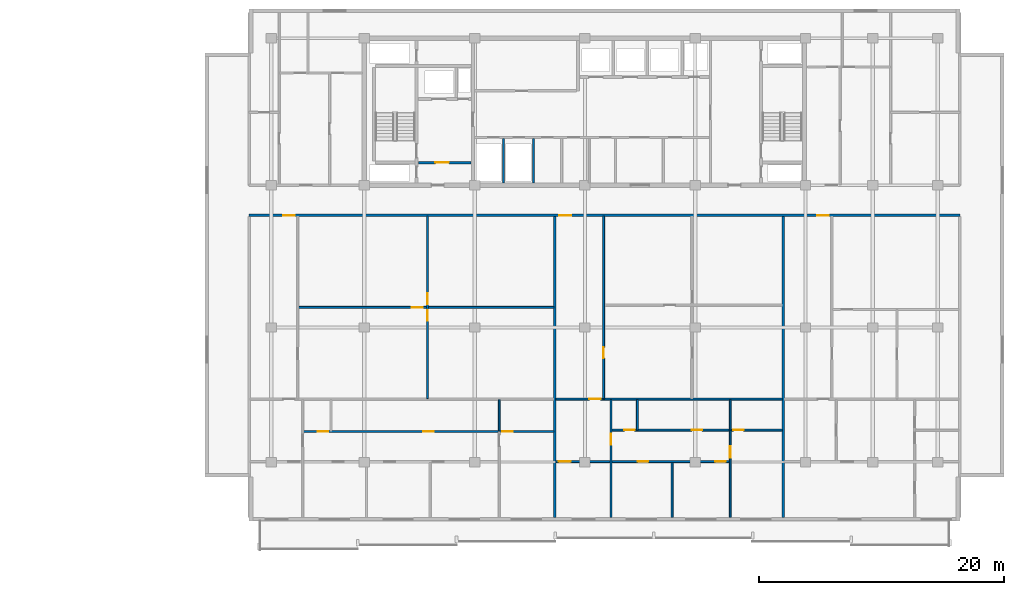
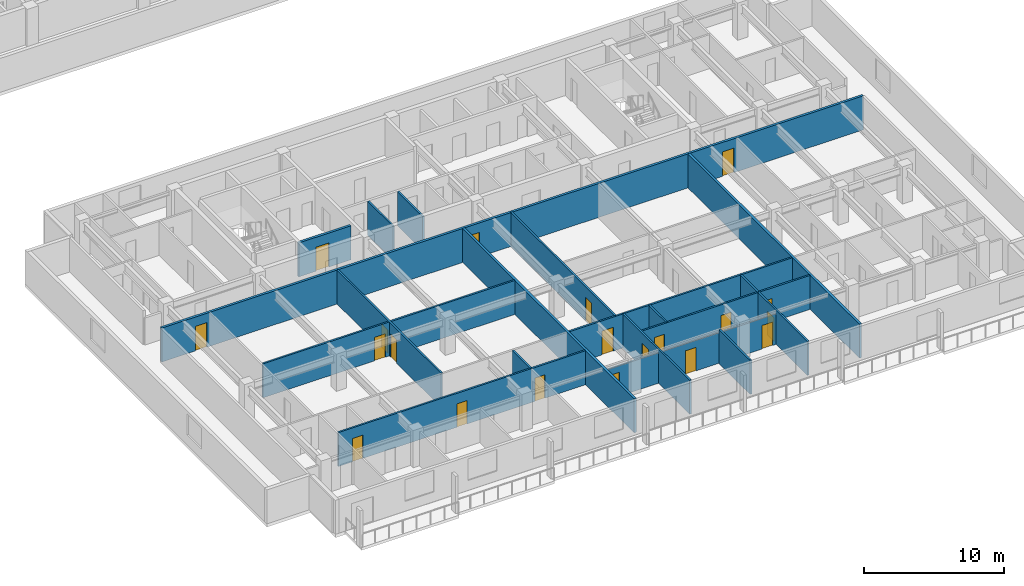
# One storey, part 5 of 22: 20 doors, 19 walls, 20 openings.
"""IFC4 building model written with IfcOpenShell, lengths in metres."""

from ifc_helpers import new_model, si_unit, direction, frame, frame_2d, origin, place, context, subcontext, project, spatial, rectangle, extrude, material, layer, layer_set, type_object, element, fill, save


model = new_model("IFC4")

# Units and contexts
model_context = context("Model", 3, precision=1e-05, world=origin(), true_north=direction((0.0, 1.0)))
body_context = subcontext(model_context, "Body", "Model", "MODEL_VIEW")
ifc_project = project(units=[si_unit("LENGTHUNIT", "METRE"), si_unit("AREAUNIT", "SQUARE_METRE"), si_unit("VOLUMEUNIT", "CUBIC_METRE"), si_unit("PLANEANGLEUNIT", "RADIAN"), si_unit("MASSUNIT", "GRAM", prefix="KILO")], contexts=[model_context])

# Site, building, storey
site_placement = place(None, origin())
site = spatial("IfcSite", under=ifc_project, at=site_placement, CompositionType="ELEMENT")
building_placement = place(site_placement, origin())
building = spatial("IfcBuilding", under=site, at=building_placement, Name="Korimba Cascade Residences", CompositionType="ELEMENT")
storey_placement = place(building_placement, frame((0.0, 0.0, 126.300048828125)))
storey = spatial("IfcBuildingStorey", under=building, at=storey_placement, Name="L36", CompositionType="ELEMENT", Elevation=126.300048828125)

# Walls
ifc_material_1 = material(Name="Precast concrete C40/50", Category="concrete")
ifc_layer_1 = layer(ifc_material_1, 0.199951171875)
ifc_layer_set_1 = layer_set([ifc_layer_1], Name="Precast concrete C40/50")
wall_type_1 = type_object("IfcWallType", Name="WAL-IT-200", PredefinedType="PARTITIONING", material=ifc_layer_set_1)
for number, where, z_axis, x_axis, name in (
    (1, (97.654541015625, -8.699951171875, 0.0), (0.0, 0.0, 1.0), (0.0, 1.0, 0.0), "L36 Partition Wall WAL-L36-T2-DEM-1"),
    (2, (116.286376953125, -8.699951171875, 0.0), (0.0, 0.0, 1.0), (0.0, 1.0, 0.0), "L36 Partition Wall WAL-L36-T2-DEM-2"),
):
    element("IfcWall", number, at=place(storey_placement, frame(where, z_axis=z_axis, x_axis=x_axis)), inside=storey, type_object=wall_type_1, Name=name, PredefinedType="PARTITIONING", context=body_context, shape_type="SweptSolid", body=[
        extrude(rectangle(XDim=24.570068359375, YDim=0.199951171875, at=frame_2d((12.28515625, 0.0))), origin(), (0.0, 0.0, 1.0), 2.969970703125),
    ])

# Wall, openings, doors
wall_1_placement = place(storey_placement, frame((72.699951171875, 15.949951171875, 0.0), z_axis=(0.0, 0.0, 1.0), x_axis=(1.0, 0.0, 0.0)))
wall_1 = element("IfcWall", 3, at=wall_1_placement, inside=storey, type_object=wall_type_1, Name="L36 Partition Wall WAL-L36-T2-CORS", PredefinedType="PARTITIONING", context=body_context, shape_type="SweptSolid", body=[
    extrude(rectangle(XDim=58.0, YDim=0.199951171875, at=frame_2d((29.0, 0.0))), origin(), (0.0, 0.0, 1.0), 2.969970703125),
])
opening_1_placement = place(wall_1_placement, frame((2.77001953125, 0.0, 0.0)))
opening_1 = element("IfcOpeningElement", 4, at=opening_1_placement, cuts=wall_1, Name="Opening D-UN1", PredefinedType="OPENING", context=body_context, shape_type="SweptSolid", body=[
    extrude(rectangle(XDim=0.949951171875, YDim=2.14990234375, at=frame_2d((0.47509765625, 1.074951171875))), frame((0.0, 0.10986328125, 0.0), z_axis=(0.0, -1.0, 0.0), x_axis=(1.0, 0.0, 0.0)), (0.0, 0.0, 1.0), 0.219970703125),
])
opening_2_placement = place(wall_1_placement, frame((25.324462890625, 0.0, 0.0)))
opening_2 = element("IfcOpeningElement", 5, at=opening_2_placement, cuts=wall_1, Name="Opening D-UN1", PredefinedType="OPENING", context=body_context, shape_type="SweptSolid", body=[
    extrude(rectangle(XDim=0.949951171875, YDim=2.14990234375, at=frame_2d((0.47509765625, 1.074951171875))), frame((0.0, 0.10986328125, 0.0), z_axis=(0.0, -1.0, 0.0), x_axis=(1.0, 0.0, 0.0)), (0.0, 0.0, 1.0), 0.219970703125),
])
opening_3_placement = place(wall_1_placement, frame((46.356201171875, 0.0, 0.0)))
opening_3 = element("IfcOpeningElement", 6, at=opening_3_placement, cuts=wall_1, Name="Opening D-UN1", PredefinedType="OPENING", context=body_context, shape_type="SweptSolid", body=[
    extrude(rectangle(XDim=0.949951171875, YDim=2.14990234375, at=frame_2d((0.47509765625, 1.074951171875))), frame((0.0, 0.10986328125, 0.0), z_axis=(0.0, -1.0, 0.0), x_axis=(1.0, 0.0, 0.0)), (0.0, 0.0, 1.0), 0.219970703125),
])
ifc_material_2 = material(Name="Fire-Rated Hardwood Apartment Entrance Door", Category="wood")
door_type_1 = type_object("IfcDoorType", Name="DR-FD60-950", OperationType="NOTDEFINED", PredefinedType="DOOR", material=ifc_material_2)
door_1_placement = place(opening_1_placement, origin())
door_1 = element("IfcDoor", 7, at=door_1_placement, inside=storey, type_object=door_type_1, Name="Unit L36-T2-U01 Entrance Door", OperationType="SINGLE_SWING_LEFT", OverallHeight=2.14990234375, OverallWidth=0.949951171875, PredefinedType="DOOR", context=body_context, shape_type="SweptSolid", body=[
    extrude(rectangle(XDim=0.949951171875, YDim=2.14990234375, at=frame_2d((0.47509765625, 1.074951171875))), frame((0.0, 0.02490234375, 0.0), z_axis=(0.0, -1.0, 0.0), x_axis=(1.0, 0.0, 0.0)), (0.0, 0.0, 1.0), 0.050048828125),
])
fill(opening_1, door_1)
door_2_placement = place(opening_2_placement, origin())
door_2 = element("IfcDoor", 8, at=door_2_placement, inside=storey, type_object=door_type_1, Name="Unit L36-T2-U02 Entrance Door", OperationType="SINGLE_SWING_RIGHT", OverallHeight=2.14990234375, OverallWidth=0.949951171875, PredefinedType="DOOR", context=body_context, shape_type="SweptSolid", body=[
    extrude(rectangle(XDim=0.949951171875, YDim=2.14990234375, at=frame_2d((0.47509765625, 1.074951171875))), frame((0.0, 0.02490234375, 0.0), z_axis=(0.0, -1.0, 0.0), x_axis=(1.0, 0.0, 0.0)), (0.0, 0.0, 1.0), 0.050048828125),
])
fill(opening_2, door_2)
door_3_placement = place(opening_3_placement, origin())
door_3 = element("IfcDoor", 9, at=door_3_placement, inside=storey, type_object=door_type_1, Name="Unit L36-T2-U03 Entrance Door", OperationType="SINGLE_SWING_LEFT", OverallHeight=2.14990234375, OverallWidth=0.949951171875, PredefinedType="DOOR", context=body_context, shape_type="SweptSolid", body=[
    extrude(rectangle(XDim=0.949951171875, YDim=2.14990234375, at=frame_2d((0.47509765625, 1.074951171875))), frame((0.0, 0.02490234375, 0.0), z_axis=(0.0, -1.0, 0.0), x_axis=(1.0, 0.0, 0.0)), (0.0, 0.0, 1.0), 0.050048828125),
])
fill(opening_3, door_3)

# Walls
ifc_material_3 = material(Name="Insulated Acoustic Stud Partition", Category="gypsum")
ifc_layer_2 = layer(ifc_material_3, 0.14990234375)
ifc_layer_set_2 = layer_set([ifc_layer_2], Name="Insulated Acoustic Stud Partition")
wall_type_2 = type_object("IfcWallType", Name="WAL-PART-150", PredefinedType="PARTITIONING", material=ifc_layer_set_2)
for number, where, z_axis, x_axis, name in (
    (10, (93.449951171875, 18.60009765625, 0.0), (0.0, 0.0, 1.0), (0.0, 1.0, 0.0), "L36 Partition Wall CW-L36-T2-ERDIV"),
    (11, (95.89990234375, 18.60009765625, 0.0), (0.0, 0.0, 1.0), (0.0, 1.0, 0.0), "L36 Partition Wall CW-L36-T2-PRDIV"),
):
    element("IfcWall", number, at=place(storey_placement, frame(where, z_axis=z_axis, x_axis=x_axis)), inside=storey, type_object=wall_type_2, Name=name, PredefinedType="PARTITIONING", context=body_context, shape_type="SweptSolid", body=[
        extrude(rectangle(XDim=3.599853515625, YDim=0.14990234375, at=frame_2d((1.7998046875, 0.0))), origin(), (0.0, 0.0, 1.0), 2.969970703125),
    ])

# Wall, openings, doors
wall_2_placement = place(storey_placement, frame((87.252197265625, 0.989990234375, 0.0), z_axis=(0.0, 0.0, 1.0), x_axis=(0.0, 1.0, 0.0)))
wall_2 = element("IfcWall", 12, at=wall_2_placement, inside=storey, type_object=wall_type_2, Name="L36 Partition Wall WAL-L36-T2-U01-FMV", PredefinedType="PARTITIONING", context=body_context, shape_type="SweptSolid", body=[
    extrude(rectangle(XDim=14.89990234375, YDim=0.14990234375, at=frame_2d((7.449951171875, 0.0))), origin(), (0.0, 0.0, 1.0), 2.969970703125),
])
opening_4_placement = place(wall_2_placement, frame((6.360107421875, 0.0, 0.0)))
opening_4 = element("IfcOpeningElement", 13, at=opening_4_placement, cuts=wall_2, Name="Opening D-BT1", PredefinedType="OPENING", context=body_context, shape_type="SweptSolid", body=[
    extrude(rectangle(XDim=0.840087890625, YDim=2.0400390625, at=frame_2d((0.419921875, 1.02001953125))), frame((0.0, 0.0849609375, 0.0), z_axis=(0.0, -1.0, 0.0), x_axis=(1.0, 0.0, 0.0)), (0.0, 0.0, 1.0), 0.169921875),
])
opening_5_placement = place(wall_2_placement, frame((7.699951171875, 0.0, 0.0)))
opening_5 = element("IfcOpeningElement", 14, at=opening_5_placement, cuts=wall_2, Name="Opening D-IN2", PredefinedType="OPENING", context=body_context, shape_type="SweptSolid", body=[
    extrude(rectangle(XDim=0.8798828125, YDim=2.06005859375, at=frame_2d((0.43994140625, 1.030029296875))), frame((0.0, 0.0849609375, 0.0), z_axis=(0.0, -1.0, 0.0), x_axis=(1.0, 0.0, 0.0)), (0.0, 0.0, 1.0), 0.169921875),
])
ifc_material_4 = material(Name="Moisture-Resistant Bathroom Timber Door", Category="wood")
door_type_2 = type_object("IfcDoorType", Name="DR-INT-850", OperationType="NOTDEFINED", PredefinedType="DOOR", material=ifc_material_4)
door_4_placement = place(opening_4_placement, origin())
door_4 = element("IfcDoor", 15, at=door_4_placement, inside=storey, type_object=door_type_2, Name="L36-T2-U01 Wardrobe Door", OperationType="SINGLE_SWING_LEFT", OverallHeight=2.0400390625, OverallWidth=0.840087890625, PredefinedType="DOOR", context=body_context, shape_type="SweptSolid", body=[
    extrude(rectangle(XDim=0.840087890625, YDim=2.0400390625, at=frame_2d((0.419921875, 1.02001953125))), frame((0.0, 0.02490234375, 0.0), z_axis=(0.0, -1.0, 0.0), x_axis=(1.0, 0.0, 0.0)), (0.0, 0.0, 1.0), 0.050048828125),
])
fill(opening_4, door_4)
ifc_material_5 = material(Name="Acoustic Timber Bedroom Door", Category="wood")
door_type_3 = type_object("IfcDoorType", Name="DR-INT-880", OperationType="NOTDEFINED", PredefinedType="DOOR", material=ifc_material_5)
door_5_placement = place(opening_5_placement, origin())
door_5 = element("IfcDoor", 16, at=door_5_placement, inside=storey, type_object=door_type_3, Name="L36-T2-U01 Music Lounge Door", OperationType="SINGLE_SWING_RIGHT", OverallHeight=2.06005859375, OverallWidth=0.8798828125, PredefinedType="DOOR", context=body_context, shape_type="SweptSolid", body=[
    extrude(rectangle(XDim=0.8798828125, YDim=2.06005859375, at=frame_2d((0.43994140625, 1.030029296875))), frame((0.0, 0.02490234375, 0.0), z_axis=(0.0, -1.0, 0.0), x_axis=(1.0, 0.0, 0.0)), (0.0, 0.0, 1.0), 0.050048828125),
])
fill(opening_5, door_5)

# Wall, opening, door
wall_3_placement = place(storey_placement, frame((76.72998046875, 8.43994140625, 0.0), z_axis=(0.0, 0.0, 1.0), x_axis=(1.0, 0.0, 0.0)))
wall_3 = element("IfcWall", 17, at=wall_3_placement, inside=storey, type_object=wall_type_2, Name="L36 Partition Wall WAL-L36-T2-U01-FMH", PredefinedType="PARTITIONING", context=body_context, shape_type="SweptSolid", body=[
    extrude(rectangle(XDim=20.844482421875, YDim=0.14990234375, at=frame_2d((10.42236328125, 0.0))), origin(), (0.0, 0.0, 1.0), 2.969970703125),
])
opening_6_placement = place(wall_3_placement, frame((9.24072265625, 0.0, 0.0)))
opening_6 = element("IfcOpeningElement", 18, at=opening_6_placement, cuts=wall_3, Name="Opening D-IN2", PredefinedType="OPENING", context=body_context, shape_type="SweptSolid", body=[
    extrude(rectangle(XDim=0.8798828125, YDim=2.06005859375, at=frame_2d((0.43994140625, 1.030029296875))), frame((0.0, 0.0849609375, 0.0), z_axis=(0.0, -1.0, 0.0), x_axis=(1.0, 0.0, 0.0)), (0.0, 0.0, 1.0), 0.169921875),
])
door_6_placement = place(opening_6_placement, origin())
door_6 = element("IfcDoor", 19, at=door_6_placement, inside=storey, type_object=door_type_3, Name="L36-T2-U01 Library Salon Door", OperationType="SINGLE_SWING_LEFT", OverallHeight=2.06005859375, OverallWidth=0.8798828125, PredefinedType="DOOR", context=body_context, shape_type="SweptSolid", body=[
    extrude(rectangle(XDim=0.8798828125, YDim=2.06005859375, at=frame_2d((0.43994140625, 1.030029296875))), frame((0.0, 0.02490234375, 0.0), z_axis=(0.0, -1.0, 0.0), x_axis=(1.0, 0.0, 0.0)), (0.0, 0.0, 1.0), 0.050048828125),
])
fill(opening_6, door_6)

# Wall
wall_4_placement = place(storey_placement, frame((93.1044921875, -1.669921875, 0.0), z_axis=(0.0, 0.0, 1.0), x_axis=(0.0, 1.0, 0.0)))
element("IfcWall", 20, at=wall_4_placement, inside=storey, type_object=wall_type_2, Name="L36 Partition Wall WAL-L36-T2-U01-VBATH", PredefinedType="PARTITIONING", context=body_context, shape_type="SweptSolid", body=[
    extrude(rectangle(XDim=2.579833984375, YDim=0.14990234375, at=frame_2d((1.2900390625, 0.0))), origin(), (0.0, 0.0, 1.0), 2.969970703125),
])

# Wall, openings, doors
wall_5_placement = place(storey_placement, frame((77.110107421875, -1.68994140625, 0.0), z_axis=(0.0, 0.0, 1.0), x_axis=(1.0, 0.0, 0.0)))
wall_5 = element("IfcWall", 21, at=wall_5_placement, inside=storey, type_object=wall_type_2, Name="L36 Partition Wall WAL-L36-T2-U01-HWALL", PredefinedType="PARTITIONING", context=body_context, shape_type="SweptSolid", body=[
    extrude(rectangle(XDim=20.46435546875, YDim=0.14990234375, at=frame_2d((10.232177734375, 0.0))), origin(), (0.0, 0.0, 1.0), 2.969970703125),
])
opening_7_placement = place(wall_5_placement, frame((1.19091796875, 0.0, 0.0)))
opening_7 = element("IfcOpeningElement", 22, at=opening_7_placement, cuts=wall_5, Name="Opening D-BT1", PredefinedType="OPENING", context=body_context, shape_type="SweptSolid", body=[
    extrude(rectangle(XDim=0.840087890625, YDim=2.0400390625, at=frame_2d((0.419921875, 1.02001953125))), frame((0.0, 0.0849609375, 0.0), z_axis=(0.0, -1.0, 0.0), x_axis=(1.0, 0.0, 0.0)), (0.0, 0.0, 1.0), 0.169921875),
])
opening_8_placement = place(wall_5_placement, frame((9.812255859375, 0.0, 0.0)))
opening_8 = element("IfcOpeningElement", 23, at=opening_8_placement, cuts=wall_5, Name="Opening D-BT1", PredefinedType="OPENING", context=body_context, shape_type="SweptSolid", body=[
    extrude(rectangle(XDim=0.840087890625, YDim=2.0400390625, at=frame_2d((0.419921875, 1.02001953125))), frame((0.0, 0.0849609375, 0.0), z_axis=(0.0, -1.0, 0.0), x_axis=(1.0, 0.0, 0.0)), (0.0, 0.0, 1.0), 0.169921875),
])
opening_9_placement = place(wall_5_placement, frame((16.244384765625, 0.0, 0.0)))
opening_9 = element("IfcOpeningElement", 24, at=opening_9_placement, cuts=wall_5, Name="Opening D-BT1", PredefinedType="OPENING", context=body_context, shape_type="SweptSolid", body=[
    extrude(rectangle(XDim=0.840087890625, YDim=2.0400390625, at=frame_2d((0.419921875, 1.02001953125))), frame((0.0, 0.0849609375, 0.0), z_axis=(0.0, -1.0, 0.0), x_axis=(1.0, 0.0, 0.0)), (0.0, 0.0, 1.0), 0.169921875),
])
door_7_placement = place(opening_7_placement, origin())
door_7 = element("IfcDoor", 25, at=door_7_placement, inside=storey, type_object=door_type_2, Name="L36-T2-U01 Family Bathroom Door", OperationType="SINGLE_SWING_LEFT", OverallHeight=2.0400390625, OverallWidth=0.840087890625, PredefinedType="DOOR", context=body_context, shape_type="SweptSolid", body=[
    extrude(rectangle(XDim=0.840087890625, YDim=2.0400390625, at=frame_2d((0.419921875, 1.02001953125))), frame((0.0, 0.02490234375, 0.0), z_axis=(0.0, -1.0, 0.0), x_axis=(1.0, 0.0, 0.0)), (0.0, 0.0, 1.0), 0.050048828125),
])
fill(opening_7, door_7)
door_8_placement = place(opening_8_placement, origin())
door_8 = element("IfcDoor", 26, at=door_8_placement, inside=storey, type_object=door_type_2, Name="L36-T2-U01 Dressing Room Door", OperationType="SINGLE_SWING_RIGHT", OverallHeight=2.0400390625, OverallWidth=0.840087890625, PredefinedType="DOOR", context=body_context, shape_type="SweptSolid", body=[
    extrude(rectangle(XDim=0.840087890625, YDim=2.0400390625, at=frame_2d((0.419921875, 1.02001953125))), frame((0.0, 0.02490234375, 0.0), z_axis=(0.0, -1.0, 0.0), x_axis=(1.0, 0.0, 0.0)), (0.0, 0.0, 1.0), 0.050048828125),
])
fill(opening_8, door_8)
door_9_placement = place(opening_9_placement, origin())
door_9 = element("IfcDoor", 27, at=door_9_placement, inside=storey, type_object=door_type_2, Name="L36-T2-U01 En-Suite Door", OperationType="SINGLE_SWING_LEFT", OverallHeight=2.0400390625, OverallWidth=0.840087890625, PredefinedType="DOOR", context=body_context, shape_type="SweptSolid", body=[
    extrude(rectangle(XDim=0.840087890625, YDim=2.0400390625, at=frame_2d((0.419921875, 1.02001953125))), frame((0.0, 0.02490234375, 0.0), z_axis=(0.0, -1.0, 0.0), x_axis=(1.0, 0.0, 0.0)), (0.0, 0.0, 1.0), 0.050048828125),
])
fill(opening_9, door_9)

# Wall, opening, door
wall_6_placement = place(storey_placement, frame((101.62451171875, 0.989990234375, 0.0), z_axis=(0.0, 0.0, 1.0), x_axis=(0.0, 1.0, 0.0)))
wall_6 = element("IfcWall", 28, at=wall_6_placement, inside=storey, type_object=wall_type_2, Name="L36 Partition Wall WAL-L36-T2-U02-FV", PredefinedType="PARTITIONING", context=body_context, shape_type="SweptSolid", body=[
    extrude(rectangle(XDim=14.89990234375, YDim=0.14990234375, at=frame_2d((7.449951171875, 0.0))), origin(), (0.0, 0.0, 1.0), 2.969970703125),
])
opening_10_placement = place(wall_6_placement, frame((3.302001953125, 0.0, 0.0)))
opening_10 = element("IfcOpeningElement", 29, at=opening_10_placement, cuts=wall_6, Name="Opening D-IN2", PredefinedType="OPENING", context=body_context, shape_type="SweptSolid", body=[
    extrude(rectangle(XDim=0.8798828125, YDim=2.06005859375, at=frame_2d((0.43994140625, 1.030029296875))), frame((0.0, 0.0849609375, 0.0), z_axis=(0.0, -1.0, 0.0), x_axis=(1.0, 0.0, 0.0)), (0.0, 0.0, 1.0), 0.169921875),
])
door_10_placement = place(opening_10_placement, origin())
door_10 = element("IfcDoor", 30, at=door_10_placement, inside=storey, type_object=door_type_3, Name="L36-T2-U02 Media Lounge Door", OperationType="SINGLE_SWING_RIGHT", OverallHeight=2.06005859375, OverallWidth=0.8798828125, PredefinedType="DOOR", context=body_context, shape_type="SweptSolid", body=[
    extrude(rectangle(XDim=0.8798828125, YDim=2.06005859375, at=frame_2d((0.43994140625, 1.030029296875))), frame((0.0, 0.02490234375, 0.0), z_axis=(0.0, -1.0, 0.0), x_axis=(1.0, 0.0, 0.0)), (0.0, 0.0, 1.0), 0.050048828125),
])
fill(opening_10, door_10)

# Walls
wall_7_placement = place(storey_placement, frame((104.384521484375, -1.56005859375, 0.0), z_axis=(0.0, 0.0, 1.0), x_axis=(0.0, 1.0, 0.0)))
element("IfcWall", 31, at=wall_7_placement, inside=storey, type_object=wall_type_2, Name="L36 Partition Wall WAL-L36-T2-U02-VDRS", PredefinedType="PARTITIONING", context=body_context, shape_type="SweptSolid", body=[
    extrude(rectangle(XDim=2.469970703125, YDim=0.14990234375, at=frame_2d((1.23486328125, 0.0))), origin(), (0.0, 0.0, 1.0), 2.969970703125),
])
wall_8_placement = place(storey_placement, frame((107.219970703125, -8.699951171875, 0.0), z_axis=(0.0, 0.0, 1.0), x_axis=(0.0, 1.0, 0.0)))
element("IfcWall", 32, at=wall_8_placement, inside=storey, type_object=wall_type_2, Name="L36 Partition Wall WAL-L36-T2-U02-VSTD", PredefinedType="PARTITIONING", context=body_context, shape_type="SweptSolid", body=[
    extrude(rectangle(XDim=4.469970703125, YDim=0.14990234375, at=frame_2d((2.23486328125, 0.0))), origin(), (0.0, 0.0, 1.0), 2.969970703125),
])

# Wall, opening, door
wall_9_placement = place(storey_placement, frame((102.234619140625, -8.699951171875, 0.0), z_axis=(0.0, 0.0, 1.0), x_axis=(0.0, 1.0, 0.0)))
wall_9 = element("IfcWall", 33, at=wall_9_placement, inside=storey, type_object=wall_type_2, Name="L36 Partition Wall WAL-L36-T2-U02-V1", PredefinedType="PARTITIONING", context=body_context, shape_type="SweptSolid", body=[
    extrude(rectangle(XDim=9.60986328125, YDim=0.14990234375, at=frame_2d((4.804931640625, 0.0))), origin(), (0.0, 0.0, 1.0), 2.969970703125),
])
opening_11_placement = place(wall_9_placement, frame((5.919921875, 0.0, 0.0)))
opening_11 = element("IfcOpeningElement", 34, at=opening_11_placement, cuts=wall_9, Name="Opening D-IN1", PredefinedType="OPENING", context=body_context, shape_type="SweptSolid", body=[
    extrude(rectangle(XDim=0.919921875, YDim=2.080078125, at=frame_2d((0.4599609375, 1.0400390625))), frame((0.0, 0.0849609375, 0.0), z_axis=(0.0, -1.0, 0.0), x_axis=(1.0, 0.0, 0.0)), (0.0, 0.0, 1.0), 0.169921875),
])
ifc_material_6 = material(Name="Acoustic Timber Living Door", Category="wood")
door_type_4 = type_object("IfcDoorType", Name="DR-INT-920", OperationType="NOTDEFINED", PredefinedType="DOOR", material=ifc_material_6)
door_11_placement = place(opening_11_placement, origin())
door_11 = element("IfcDoor", 35, at=door_11_placement, inside=storey, type_object=door_type_4, Name="L36-T2-U02 Hallway Door", OperationType="SINGLE_SWING_LEFT", OverallHeight=2.080078125, OverallWidth=0.919921875, PredefinedType="DOOR", context=body_context, shape_type="SweptSolid", body=[
    extrude(rectangle(XDim=0.919921875, YDim=2.080078125, at=frame_2d((0.4599609375, 1.0400390625))), frame((0.0, 0.02490234375, 0.0), z_axis=(0.0, -1.0, 0.0), x_axis=(1.0, 0.0, 0.0)), (0.0, 0.0, 1.0), 0.050048828125),
])
fill(opening_11, door_11)

# Wall
wall_10_placement = place(storey_placement, frame((111.956298828125, -1.56005859375, 0.0), z_axis=(0.0, 0.0, 1.0), x_axis=(0.0, 1.0, 0.0)))
element("IfcWall", 36, at=wall_10_placement, inside=storey, type_object=wall_type_2, Name="L36 Partition Wall WAL-L36-T2-U02-VBATH", PredefinedType="PARTITIONING", context=body_context, shape_type="SweptSolid", body=[
    extrude(rectangle(XDim=2.469970703125, YDim=0.14990234375, at=frame_2d((1.23486328125, 0.0))), origin(), (0.0, 0.0, 1.0), 2.969970703125),
])

# Wall, opening, door
wall_11_placement = place(storey_placement, frame((111.956298828125, -8.699951171875, 0.0), z_axis=(0.0, 0.0, 1.0), x_axis=(0.0, 1.0, 0.0)))
wall_11 = element("IfcWall", 37, at=wall_11_placement, inside=storey, type_object=wall_type_2, Name="L36 Partition Wall WAL-L36-T2-U02-V2FULL", PredefinedType="PARTITIONING", context=body_context, shape_type="SweptSolid", body=[
    extrude(rectangle(XDim=7.099853515625, YDim=0.14990234375, at=frame_2d((3.5498046875, 0.0))), origin(), (0.0, 0.0, 1.0), 2.969970703125),
])
opening_12_placement = place(wall_11_placement, frame((4.8701171875, 0.0, 0.0)))
opening_12 = element("IfcOpeningElement", 38, at=opening_12_placement, cuts=wall_11, Name="Opening D-IN1", PredefinedType="OPENING", context=body_context, shape_type="SweptSolid", body=[
    extrude(rectangle(XDim=0.919921875, YDim=2.080078125, at=frame_2d((0.4599609375, 1.0400390625))), frame((0.0, 0.0849609375, 0.0), z_axis=(0.0, -1.0, 0.0), x_axis=(1.0, 0.0, 0.0)), (0.0, 0.0, 1.0), 0.169921875),
])
door_12_placement = place(opening_12_placement, origin())
door_12 = element("IfcDoor", 39, at=door_12_placement, inside=storey, type_object=door_type_4, Name="L36-T2-U02 Master Bedroom Door", OperationType="SINGLE_SWING_RIGHT", OverallHeight=2.080078125, OverallWidth=0.919921875, PredefinedType="DOOR", context=body_context, shape_type="SweptSolid", body=[
    extrude(rectangle(XDim=0.919921875, YDim=2.080078125, at=frame_2d((0.4599609375, 1.0400390625))), frame((0.0, 0.02490234375, 0.0), z_axis=(0.0, -1.0, 0.0), x_axis=(1.0, 0.0, 0.0)), (0.0, 0.0, 1.0), 0.050048828125),
])
fill(opening_12, door_12)

# Wall, openings, doors
wall_12_placement = place(storey_placement, frame((102.2744140625, -1.580078125, 0.0), z_axis=(0.0, 0.0, 1.0), x_axis=(1.0, 0.0, 0.0)))
wall_12 = element("IfcWall", 40, at=wall_12_placement, inside=storey, type_object=wall_type_2, Name="L36 Partition Wall WAL-L36-T2-U02-HWALL", PredefinedType="PARTITIONING", context=body_context, shape_type="SweptSolid", body=[
    extrude(rectangle(XDim=13.931884765625, YDim=0.14990234375, at=frame_2d((6.9658203125, 0.0))), origin(), (0.0, 0.0, 1.0), 2.969970703125),
])
opening_13_placement = place(wall_12_placement, frame((1.033935546875, 0.0, 0.0)))
opening_13 = element("IfcOpeningElement", 41, at=opening_13_placement, cuts=wall_12, Name="Opening D-BT1", PredefinedType="OPENING", context=body_context, shape_type="SweptSolid", body=[
    extrude(rectangle(XDim=0.840087890625, YDim=2.0400390625, at=frame_2d((0.419921875, 1.02001953125))), frame((0.0, 0.0849609375, 0.0), z_axis=(0.0, -1.0, 0.0), x_axis=(1.0, 0.0, 0.0)), (0.0, 0.0, 1.0), 0.169921875),
])
opening_14_placement = place(wall_12_placement, frame((6.5458984375, 0.0, 0.0)))
opening_14 = element("IfcOpeningElement", 42, at=opening_14_placement, cuts=wall_12, Name="Opening D-BT1", PredefinedType="OPENING", context=body_context, shape_type="SweptSolid", body=[
    extrude(rectangle(XDim=0.840087890625, YDim=2.0400390625, at=frame_2d((0.419921875, 1.02001953125))), frame((0.0, 0.0849609375, 0.0), z_axis=(0.0, -1.0, 0.0), x_axis=(1.0, 0.0, 0.0)), (0.0, 0.0, 1.0), 0.169921875),
])
opening_15_placement = place(wall_12_placement, frame((9.931884765625, 0.0, 0.0)))
opening_15 = element("IfcOpeningElement", 43, at=opening_15_placement, cuts=wall_12, Name="Opening D-BT1", PredefinedType="OPENING", context=body_context, shape_type="SweptSolid", body=[
    extrude(rectangle(XDim=0.840087890625, YDim=2.0400390625, at=frame_2d((0.419921875, 1.02001953125))), frame((0.0, 0.0849609375, 0.0), z_axis=(0.0, -1.0, 0.0), x_axis=(1.0, 0.0, 0.0)), (0.0, 0.0, 1.0), 0.169921875),
])
door_13_placement = place(opening_13_placement, origin())
door_13 = element("IfcDoor", 44, at=door_13_placement, inside=storey, type_object=door_type_2, Name="L36-T2-U02 Family Bathroom Door", OperationType="SINGLE_SWING_LEFT", OverallHeight=2.0400390625, OverallWidth=0.840087890625, PredefinedType="DOOR", context=body_context, shape_type="SweptSolid", body=[
    extrude(rectangle(XDim=0.840087890625, YDim=2.0400390625, at=frame_2d((0.419921875, 1.02001953125))), frame((0.0, 0.02490234375, 0.0), z_axis=(0.0, -1.0, 0.0), x_axis=(1.0, 0.0, 0.0)), (0.0, 0.0, 1.0), 0.050048828125),
])
fill(opening_13, door_13)
door_14_placement = place(opening_14_placement, origin())
door_14 = element("IfcDoor", 45, at=door_14_placement, inside=storey, type_object=door_type_2, Name="L36-T2-U02 Dressing Room Door", OperationType="SINGLE_SWING_RIGHT", OverallHeight=2.0400390625, OverallWidth=0.840087890625, PredefinedType="DOOR", context=body_context, shape_type="SweptSolid", body=[
    extrude(rectangle(XDim=0.840087890625, YDim=2.0400390625, at=frame_2d((0.419921875, 1.02001953125))), frame((0.0, 0.02490234375, 0.0), z_axis=(0.0, -1.0, 0.0), x_axis=(1.0, 0.0, 0.0)), (0.0, 0.0, 1.0), 0.050048828125),
])
fill(opening_14, door_14)
door_15_placement = place(opening_15_placement, origin())
door_15 = element("IfcDoor", 46, at=door_15_placement, inside=storey, type_object=door_type_2, Name="L36-T2-U02 En-Suite Door", OperationType="SINGLE_SWING_LEFT", OverallHeight=2.0400390625, OverallWidth=0.840087890625, PredefinedType="DOOR", context=body_context, shape_type="SweptSolid", body=[
    extrude(rectangle(XDim=0.840087890625, YDim=2.0400390625, at=frame_2d((0.419921875, 1.02001953125))), frame((0.0, 0.02490234375, 0.0), z_axis=(0.0, -1.0, 0.0), x_axis=(1.0, 0.0, 0.0)), (0.0, 0.0, 1.0), 0.050048828125),
])
fill(opening_15, door_15)

# Wall, opening, door
wall_13_placement = place(storey_placement, frame((97.734619140625, 0.949951171875, 0.0), z_axis=(0.0, 0.0, 1.0), x_axis=(1.0, 0.0, 0.0)))
wall_13 = element("IfcWall", 47, at=wall_13_placement, inside=storey, type_object=wall_type_2, Name="L36 Partition Wall WAL-L36-T2-U02-MW", PredefinedType="PARTITIONING", context=body_context, shape_type="SweptSolid", body=[
    extrude(rectangle(XDim=18.4716796875, YDim=0.14990234375, at=frame_2d((9.23583984375, 0.0))), origin(), (0.0, 0.0, 1.0), 2.969970703125),
])
opening_16_placement = place(wall_13_placement, frame((2.719970703125, 0.0, 0.0)))
opening_16 = element("IfcOpeningElement", 48, at=opening_16_placement, cuts=wall_13, Name="Opening D-IN1", PredefinedType="OPENING", context=body_context, shape_type="SweptSolid", body=[
    extrude(rectangle(XDim=0.919921875, YDim=2.080078125, at=frame_2d((0.4599609375, 1.0400390625))), frame((0.0, 0.0849609375, 0.0), z_axis=(0.0, -1.0, 0.0), x_axis=(1.0, 0.0, 0.0)), (0.0, 0.0, 1.0), 0.169921875),
])
door_16_placement = place(opening_16_placement, origin())
door_16 = element("IfcDoor", 49, at=door_16_placement, inside=storey, type_object=door_type_4, Name="L36-T2-U02 Kitchen Door", OperationType="SINGLE_SWING_RIGHT", OverallHeight=2.080078125, OverallWidth=0.919921875, PredefinedType="DOOR", context=body_context, shape_type="SweptSolid", body=[
    extrude(rectangle(XDim=0.919921875, YDim=2.080078125, at=frame_2d((0.4599609375, 1.0400390625))), frame((0.0, 0.02490234375, 0.0), z_axis=(0.0, -1.0, 0.0), x_axis=(1.0, 0.0, 0.0)), (0.0, 0.0, 1.0), 0.050048828125),
])
fill(opening_16, door_16)

# Wall, openings, doors
wall_14_placement = place(storey_placement, frame((97.734619140625, -4.14990234375, 0.0), z_axis=(0.0, 0.0, 1.0), x_axis=(1.0, 0.0, 0.0)))
wall_14 = element("IfcWall", 50, at=wall_14_placement, inside=storey, type_object=wall_type_2, Name="L36 Partition Wall WAL-L36-T2-U02-HZ", PredefinedType="PARTITIONING", context=body_context, shape_type="SweptSolid", body=[
    extrude(rectangle(XDim=14.2216796875, YDim=0.14990234375, at=frame_2d((7.11083984375, 0.0))), origin(), (0.0, 0.0, 1.0), 2.663330078125),
])
opening_17_placement = place(wall_14_placement, frame((0.25, 0.0, 0.0)))
opening_17 = element("IfcOpeningElement", 51, at=opening_17_placement, cuts=wall_14, Name="Opening D-IN0", PredefinedType="OPENING", context=body_context, shape_type="SweptSolid", body=[
    extrude(rectangle(XDim=0.93994140625, YDim=2.10009765625, at=frame_2d((0.469970703125, 1.050048828125))), frame((0.0, 0.0849609375, 0.0), z_axis=(0.0, -1.0, 0.0), x_axis=(1.0, 0.0, 0.0)), (0.0, 0.0, 1.0), 0.169921875),
])
opening_18_placement = place(wall_14_placement, frame((6.6708984375, 0.0, 0.0)))
opening_18 = element("IfcOpeningElement", 52, at=opening_18_placement, cuts=wall_14, Name="Opening D-IN2", PredefinedType="OPENING", context=body_context, shape_type="SweptSolid", body=[
    extrude(rectangle(XDim=0.8798828125, YDim=2.06005859375, at=frame_2d((0.43994140625, 1.030029296875))), frame((0.0, 0.0849609375, 0.0), z_axis=(0.0, -1.0, 0.0), x_axis=(1.0, 0.0, 0.0)), (0.0, 0.0, 1.0), 0.169921875),
])
opening_19_placement = place(wall_14_placement, frame((12.985107421875, 0.0, 0.0)))
opening_19 = element("IfcOpeningElement", 53, at=opening_19_placement, cuts=wall_14, Name="Opening D-IN2", PredefinedType="OPENING", context=body_context, shape_type="SweptSolid", body=[
    extrude(rectangle(XDim=0.8798828125, YDim=2.06005859375, at=frame_2d((0.43994140625, 1.030029296875))), frame((0.0, 0.0849609375, 0.0), z_axis=(0.0, -1.0, 0.0), x_axis=(1.0, 0.0, 0.0)), (0.0, 0.0, 1.0), 0.169921875),
])
door_17_placement = place(opening_18_placement, origin())
door_17 = element("IfcDoor", 54, at=door_17_placement, inside=storey, type_object=door_type_3, Name="L36-T2-U02 Bedroom 2 Door", OperationType="SINGLE_SWING_RIGHT", OverallHeight=2.06005859375, OverallWidth=0.8798828125, PredefinedType="DOOR", context=body_context, shape_type="SweptSolid", body=[
    extrude(rectangle(XDim=0.8798828125, YDim=2.06005859375, at=frame_2d((0.43994140625, 1.030029296875))), frame((0.0, 0.02490234375, 0.0), z_axis=(0.0, -1.0, 0.0), x_axis=(1.0, 0.0, 0.0)), (0.0, 0.0, 1.0), 0.050048828125),
])
fill(opening_18, door_17)
door_18_placement = place(opening_19_placement, origin())
door_18 = element("IfcDoor", 55, at=door_18_placement, inside=storey, type_object=door_type_3, Name="L36-T2-U02 Study Door", OperationType="SINGLE_SWING_LEFT", OverallHeight=2.06005859375, OverallWidth=0.8798828125, PredefinedType="DOOR", context=body_context, shape_type="SweptSolid", body=[
    extrude(rectangle(XDim=0.8798828125, YDim=2.06005859375, at=frame_2d((0.43994140625, 1.030029296875))), frame((0.0, 0.02490234375, 0.0), z_axis=(0.0, -1.0, 0.0), x_axis=(1.0, 0.0, 0.0)), (0.0, 0.0, 1.0), 0.050048828125),
])
fill(opening_19, door_18)
ifc_material_7 = material(Name="Acoustic Timber Living Archway Door", Category="wood")
door_type_5 = type_object("IfcDoorType", Name="DR-INT-950", OperationType="NOTDEFINED", PredefinedType="DOOR", material=ifc_material_7)
door_19_placement = place(opening_17_placement, origin())
door_19 = element("IfcDoor", 56, at=door_19_placement, inside=storey, type_object=door_type_5, Name="L36-T2-U02 Living Room Door", OperationType="SINGLE_SWING_LEFT", OverallHeight=2.10009765625, OverallWidth=0.93994140625, PredefinedType="DOOR", context=body_context, shape_type="SweptSolid", body=[
    extrude(rectangle(XDim=0.93994140625, YDim=2.10009765625, at=frame_2d((0.469970703125, 1.050048828125))), frame((0.0, 0.02490234375, 0.0), z_axis=(0.0, -1.0, 0.0), x_axis=(1.0, 0.0, 0.0)), (0.0, 0.0, 1.0), 0.050048828125),
])
fill(opening_17, door_19)

# Wall, opening, door
ifc_material_8 = material(Name="Concrete C40/50", Category="concrete")
ifc_layer_3 = layer(ifc_material_8, 0.199951171875)
ifc_layer_set_3 = layer_set([ifc_layer_3], Name="Concrete C40/50")
wall_type_3 = type_object("IfcWallType", Name="WAL-PART-200", PredefinedType="PARTITIONING", material=ifc_layer_set_3)
wall_15_placement = place(storey_placement, frame((86.5, 20.25, 0.0), z_axis=(0.0, 0.0, 1.0), x_axis=(1.0, 0.0, 0.0)))
wall_15 = element("IfcWall", 57, at=wall_15_placement, inside=storey, type_object=wall_type_3, Name="L36 Partition Wall CW-L36-T2-FFLS", PredefinedType="PARTITIONING", context=body_context, shape_type="SweptSolid", body=[
    extrude(rectangle(XDim=4.320068359375, YDim=0.199951171875, at=frame_2d((2.16015625, 0.0))), origin(), (0.0, 0.0, 1.0), 2.969970703125),
])
opening_20_placement = place(wall_15_placement, frame((1.39990234375, 0.0, 0.0)))
opening_20 = element("IfcOpeningElement", 58, at=opening_20_placement, cuts=wall_15, Name="Opening D-FD1", PredefinedType="OPENING", context=body_context, shape_type="SweptSolid", body=[
    extrude(rectangle(XDim=1.10009765625, YDim=2.10009765625, at=frame_2d((0.550048828125, 1.050048828125))), frame((0.0, 0.10986328125, 0.0), z_axis=(0.0, -1.0, 0.0), x_axis=(1.0, 0.0, 0.0)), (0.0, 0.0, 1.0), 0.219970703125),
])
ifc_material_9 = material(Name="Fire-Rated Steel Core Door", Category="steel")
door_type_6 = type_object("IfcDoorType", Name="DR-FD120-1100", OperationType="NOTDEFINED", PredefinedType="DOOR", material=ifc_material_9)
door_20_placement = place(opening_20_placement, origin())
door_20 = element("IfcDoor", 59, at=door_20_placement, inside=storey, type_object=door_type_6, Name="L36 T2 Firefighting Lobby Door", OperationType="SINGLE_SWING_LEFT", OverallHeight=2.10009765625, OverallWidth=1.10009765625, PredefinedType="DOOR", context=body_context, shape_type="SweptSolid", body=[
    extrude(rectangle(XDim=1.10009765625, YDim=2.10009765625, at=frame_2d((0.550048828125, 1.050048828125))), frame((0.0, 0.02490234375, 0.0), z_axis=(0.0, -1.0, 0.0), x_axis=(1.0, 0.0, 0.0)), (0.0, 0.0, 1.0), 0.050048828125),
])
fill(opening_20, door_20)

save(model, "model.ifc")
